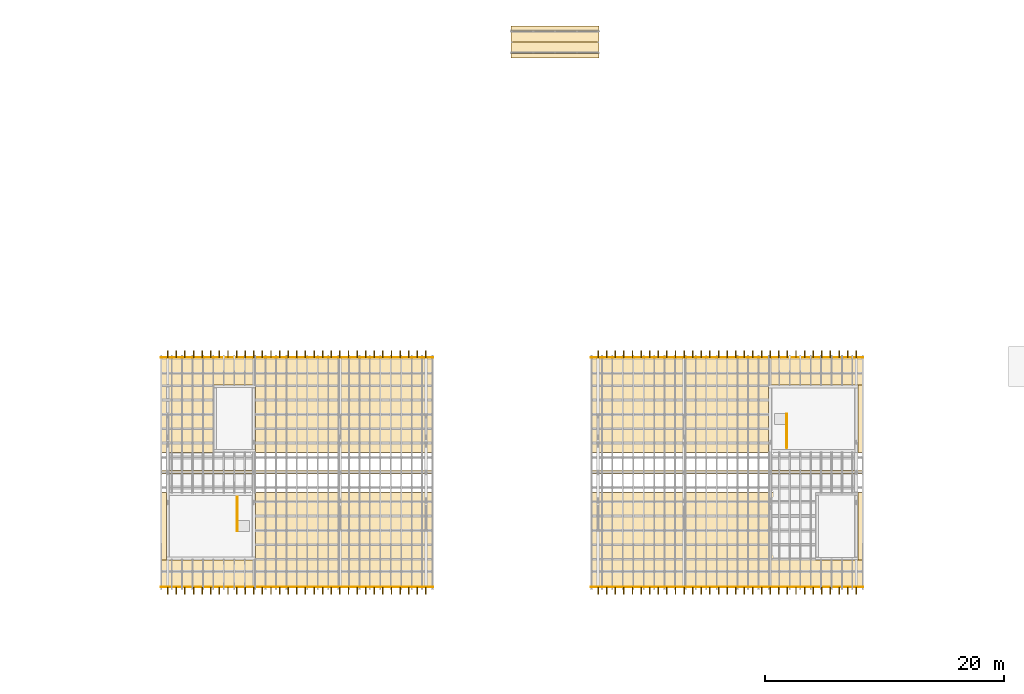
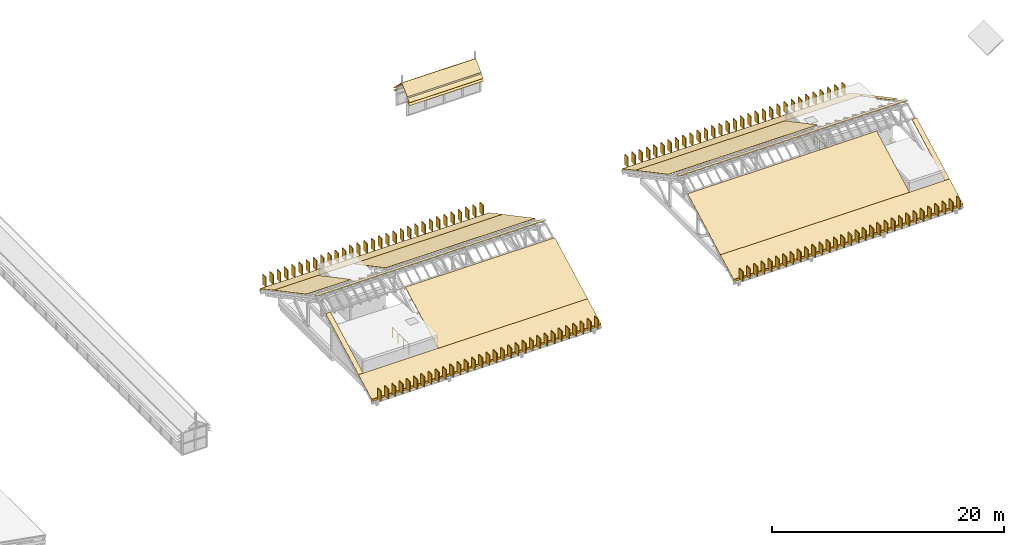
# One storey, part 24 of 28: 148 coverings, 2 railings.
"""IFC4 building model written with IfcOpenShell, lengths in metres."""

from ifc_helpers import new_model, si_unit, direction, frame, origin, origin_2d, place, context, subcontext, project, spatial, polyline, rectangle, circle, outline, extrude, material, layer, layer_set, type_object, element, save


model = new_model("IFC4")

# Units and contexts
model_context = context("Model", 3, precision=1e-05, world=origin(), true_north=direction((0.0, 1.0)))
body_context = subcontext(model_context, "Body", "Model", "MODEL_VIEW")
ifc_project = project(units=[si_unit("LENGTHUNIT", "METRE"), si_unit("AREAUNIT", "SQUARE_METRE"), si_unit("VOLUMEUNIT", "CUBIC_METRE"), si_unit("PLANEANGLEUNIT", "RADIAN"), si_unit("MASSUNIT", "GRAM", prefix="KILO")], contexts=[model_context])

# Site, building, storey
site_placement = place(None, origin())
site = spatial("IfcSite", under=ifc_project, at=site_placement, CompositionType="ELEMENT")
building_placement = place(site_placement, origin())
building = spatial("IfcBuilding", under=site, at=building_placement, Name="Mazhai Court Health Centre", CompositionType="ELEMENT")
storey_placement = place(building_placement, frame((0.0, 0.0, 18.0)))
storey = spatial("IfcBuildingStorey", under=building, at=storey_placement, Name="RF", CompositionType="ELEMENT", Elevation=18.0)

# Coverings
ifc_material_1 = material(Name="Teak timber", Category="wood")
covering_type_1 = type_object("IfcCoveringType", Name="FIN TIMBER 80x600", PredefinedType="CLADDING", material=ifc_material_1)
for number, where, z_axis, x_axis, name in (
    (1, (71.0, 10.699951171875, 0.27197265625), (0.0, 0.0, 1.0), (1.0, 0.0, 0.0), "FN-V4-CROWN-WRS1-00"),
    (2, (71.719970703125, 10.699951171875, 0.27197265625), (0.0, 0.0, 1.0), (1.0, 0.0, 0.0), "FN-V4-CROWN-WRS1-01"),
    (3, (72.43994140625, 10.699951171875, 0.27197265625), (0.0, 0.0, 1.0), (1.0, 0.0, 0.0), "FN-V4-CROWN-WRS1-02"),
    (4, (73.159912109375, 10.699951171875, 0.27197265625), (0.0, 0.0, 1.0), (1.0, 0.0, 0.0), "FN-V4-CROWN-WRS1-03"),
    (5, (73.8798828125, 10.699951171875, 0.27197265625), (0.0, 0.0, 1.0), (1.0, 0.0, 0.0), "FN-V4-CROWN-WRS1-04"),
    (6, (74.60009765625, 10.699951171875, 0.27197265625), (0.0, 0.0, 1.0), (1.0, 0.0, 0.0), "FN-V4-CROWN-WRS1-05"),
    (7, (75.320068359375, 10.699951171875, 0.27197265625), (0.0, 0.0, 1.0), (1.0, 0.0, 0.0), "FN-V4-CROWN-WRS1-06"),
    (8, (76.0400390625, 10.699951171875, 0.27197265625), (0.0, 0.0, 1.0), (1.0, 0.0, 0.0), "FN-V4-CROWN-WRS1-07"),
    (9, (76.760009765625, 10.699951171875, 0.27197265625), (0.0, 0.0, 1.0), (1.0, 0.0, 0.0), "FN-V4-CROWN-WRS1-08"),
    (10, (77.47998046875, 10.699951171875, 0.27197265625), (0.0, 0.0, 1.0), (1.0, 0.0, 0.0), "FN-V4-CROWN-WRS1-09"),
    (11, (78.199951171875, 10.699951171875, 0.27197265625), (0.0, 0.0, 1.0), (1.0, 0.0, 0.0), "FN-V4-CROWN-WRS1-10"),
    (12, (78.919921875, 10.699951171875, 0.27197265625), (0.0, 0.0, 1.0), (1.0, 0.0, 0.0), "FN-V4-CROWN-WRS1-11"),
    (13, (79.639892578125, 10.699951171875, 0.27197265625), (0.0, 0.0, 1.0), (1.0, 0.0, 0.0), "FN-V4-CROWN-WRS1-12"),
    (14, (80.360107421875, 10.699951171875, 0.27197265625), (0.0, 0.0, 1.0), (1.0, 0.0, 0.0), "FN-V4-CROWN-WRS1-13"),
    (15, (81.080078125, 10.699951171875, 0.27197265625), (0.0, 0.0, 1.0), (1.0, 0.0, 0.0), "FN-V4-CROWN-WRS1-14"),
    (16, (81.800048828125, 10.699951171875, 0.27197265625), (0.0, 0.0, 1.0), (1.0, 0.0, 0.0), "FN-V4-CROWN-WRS1-15"),
    (17, (82.52001953125, 10.699951171875, 0.27197265625), (0.0, 0.0, 1.0), (1.0, 0.0, 0.0), "FN-V4-CROWN-WRS1-16"),
    (18, (83.239990234375, 10.699951171875, 0.27197265625), (0.0, 0.0, 1.0), (1.0, 0.0, 0.0), "FN-V4-CROWN-WRS1-17"),
    (19, (83.9599609375, 10.699951171875, 0.27197265625), (0.0, 0.0, 1.0), (1.0, 0.0, 0.0), "FN-V4-CROWN-WRS1-18"),
    (20, (84.679931640625, 10.699951171875, 0.27197265625), (0.0, 0.0, 1.0), (1.0, 0.0, 0.0), "FN-V4-CROWN-WRS1-19"),
    (21, (85.39990234375, 10.699951171875, 0.27197265625), (0.0, 0.0, 1.0), (1.0, 0.0, 0.0), "FN-V4-CROWN-WRS1-20"),
    (22, (86.1201171875, 10.699951171875, 0.27197265625), (0.0, 0.0, 1.0), (1.0, 0.0, 0.0), "FN-V4-CROWN-WRS1-21"),
    (23, (86.840087890625, 10.699951171875, 0.27197265625), (0.0, 0.0, 1.0), (1.0, 0.0, 0.0), "FN-V4-CROWN-WRS1-22"),
    (24, (87.56005859375, 10.699951171875, 0.27197265625), (0.0, 0.0, 1.0), (1.0, 0.0, 0.0), "FN-V4-CROWN-WRS1-23"),
    (25, (88.280029296875, 10.699951171875, 0.27197265625), (0.0, 0.0, 1.0), (1.0, 0.0, 0.0), "FN-V4-CROWN-WRS1-24"),
    (26, (89.0, 10.699951171875, 0.27197265625), (0.0, 0.0, 1.0), (1.0, 0.0, 0.0), "FN-V4-CROWN-WRS1-25"),
    (27, (89.719970703125, 10.699951171875, 0.27197265625), (0.0, 0.0, 1.0), (1.0, 0.0, 0.0), "FN-V4-CROWN-WRS1-26"),
    (28, (90.43994140625, 10.699951171875, 0.27197265625), (0.0, 0.0, 1.0), (1.0, 0.0, 0.0), "FN-V4-CROWN-WRS1-27"),
    (29, (91.159912109375, 10.699951171875, 0.27197265625), (0.0, 0.0, 1.0), (1.0, 0.0, 0.0), "FN-V4-CROWN-WRS1-28"),
    (30, (91.8798828125, 10.699951171875, 0.27197265625), (0.0, 0.0, 1.0), (1.0, 0.0, 0.0), "FN-V4-CROWN-WRS1-29"),
    (31, (92.60009765625, 10.699951171875, 0.27197265625), (0.0, 0.0, 1.0), (1.0, 0.0, 0.0), "FN-V4-CROWN-WRS1-30"),
    (32, (71.0, 30.5, 0.27197265625), (0.0, 0.0, 1.0), (1.0, 0.0, 0.0), "FN-V4-CROWN-WRS2-c1-00"),
    (33, (71.719970703125, 30.5, 0.27197265625), (0.0, 0.0, 1.0), (1.0, 0.0, 0.0), "FN-V4-CROWN-WRS2-c1-01"),
    (34, (72.43994140625, 30.5, 0.27197265625), (0.0, 0.0, 1.0), (1.0, 0.0, 0.0), "FN-V4-CROWN-WRS2-c1-02"),
    (35, (73.159912109375, 30.5, 0.27197265625), (0.0, 0.0, 1.0), (1.0, 0.0, 0.0), "FN-V4-CROWN-WRS2-c1-03"),
    (36, (73.8798828125, 30.5, 0.27197265625), (0.0, 0.0, 1.0), (1.0, 0.0, 0.0), "FN-V4-CROWN-WRS2-c1-04"),
    (37, (74.60009765625, 30.5, 0.27197265625), (0.0, 0.0, 1.0), (1.0, 0.0, 0.0), "FN-V4-CROWN-WRS2-c1-05"),
    (38, (75.320068359375, 30.5, 0.27197265625), (0.0, 0.0, 1.0), (1.0, 0.0, 0.0), "FN-V4-CROWN-WRS2-c1-06"),
    (39, (76.0400390625, 30.5, 0.27197265625), (0.0, 0.0, 1.0), (1.0, 0.0, 0.0), "FN-V4-CROWN-WRS2-c1-07"),
    (40, (76.760009765625, 30.5, 0.27197265625), (0.0, 0.0, 1.0), (1.0, 0.0, 0.0), "FN-V4-CROWN-WRS2-c1-08"),
    (41, (77.47998046875, 30.5, 0.27197265625), (0.0, 0.0, 1.0), (1.0, 0.0, 0.0), "FN-V4-CROWN-WRS2-c1-09"),
    (42, (78.199951171875, 30.5, 0.27197265625), (0.0, 0.0, 1.0), (1.0, 0.0, 0.0), "FN-V4-CROWN-WRS2-c1-10"),
    (43, (78.919921875, 30.5, 0.27197265625), (0.0, 0.0, 1.0), (1.0, 0.0, 0.0), "FN-V4-CROWN-WRS2-c1-11"),
    (44, (79.639892578125, 30.5, 0.27197265625), (0.0, 0.0, 1.0), (1.0, 0.0, 0.0), "FN-V4-CROWN-WRS2-c1-12"),
    (45, (80.360107421875, 30.5, 0.27197265625), (0.0, 0.0, 1.0), (1.0, 0.0, 0.0), "FN-V4-CROWN-WRS2-c1-13"),
    (46, (81.080078125, 30.5, 0.27197265625), (0.0, 0.0, 1.0), (1.0, 0.0, 0.0), "FN-V4-CROWN-WRS2-c1-14"),
    (47, (81.800048828125, 30.5, 0.27197265625), (0.0, 0.0, 1.0), (1.0, 0.0, 0.0), "FN-V4-CROWN-WRS2-c1-15"),
    (48, (82.52001953125, 30.5, 0.27197265625), (0.0, 0.0, 1.0), (1.0, 0.0, 0.0), "FN-V4-CROWN-WRS2-c1-16"),
    (49, (83.239990234375, 30.5, 0.27197265625), (0.0, 0.0, 1.0), (1.0, 0.0, 0.0), "FN-V4-CROWN-WRS2-c1-17"),
    (50, (83.9599609375, 30.5, 0.27197265625), (0.0, 0.0, 1.0), (1.0, 0.0, 0.0), "FN-V4-CROWN-WRS2-c1-18"),
    (51, (84.679931640625, 30.5, 0.27197265625), (0.0, 0.0, 1.0), (1.0, 0.0, 0.0), "FN-V4-CROWN-WRS2-c1-19"),
    (52, (85.39990234375, 30.5, 0.27197265625), (0.0, 0.0, 1.0), (1.0, 0.0, 0.0), "FN-V4-CROWN-WRS2-c1-20"),
    (53, (86.1201171875, 30.5, 0.27197265625), (0.0, 0.0, 1.0), (1.0, 0.0, 0.0), "FN-V4-CROWN-WRS2-c1-21"),
    (54, (86.840087890625, 30.5, 0.27197265625), (0.0, 0.0, 1.0), (1.0, 0.0, 0.0), "FN-V4-CROWN-WRS2-c1-22"),
    (55, (87.56005859375, 30.5, 0.27197265625), (0.0, 0.0, 1.0), (1.0, 0.0, 0.0), "FN-V4-CROWN-WRS2-c1-23"),
    (56, (88.280029296875, 30.5, 0.27197265625), (0.0, 0.0, 1.0), (1.0, 0.0, 0.0), "FN-V4-CROWN-WRS2-c1-24"),
    (57, (89.0, 30.5, 0.27197265625), (0.0, 0.0, 1.0), (1.0, 0.0, 0.0), "FN-V4-CROWN-WRS2-c1-25"),
    (58, (89.719970703125, 30.5, 0.27197265625), (0.0, 0.0, 1.0), (1.0, 0.0, 0.0), "FN-V4-CROWN-WRS2-c1-26"),
    (59, (90.43994140625, 30.5, 0.27197265625), (0.0, 0.0, 1.0), (1.0, 0.0, 0.0), "FN-V4-CROWN-WRS2-c1-27"),
    (60, (91.159912109375, 30.5, 0.27197265625), (0.0, 0.0, 1.0), (1.0, 0.0, 0.0), "FN-V4-CROWN-WRS2-c1-28"),
    (61, (91.8798828125, 30.5, 0.27197265625), (0.0, 0.0, 1.0), (1.0, 0.0, 0.0), "FN-V4-CROWN-WRS2-c1-29"),
    (62, (92.60009765625, 30.5, 0.27197265625), (0.0, 0.0, 1.0), (1.0, 0.0, 0.0), "FN-V4-CROWN-WRS2-c1-30"),
    (63, (107.0, 30.5, 0.27197265625), (0.0, 0.0, 1.0), (1.0, 0.0, 0.0), "FN-V4-CROWN-ERS2-c1-00"),
    (64, (107.719970703125, 30.5, 0.27197265625), (0.0, 0.0, 1.0), (1.0, 0.0, 0.0), "FN-V4-CROWN-ERS2-c1-01"),
    (65, (108.43994140625, 30.5, 0.27197265625), (0.0, 0.0, 1.0), (1.0, 0.0, 0.0), "FN-V4-CROWN-ERS2-c1-02"),
    (66, (109.159912109375, 30.5, 0.27197265625), (0.0, 0.0, 1.0), (1.0, 0.0, 0.0), "FN-V4-CROWN-ERS2-c1-03"),
    (67, (109.8798828125, 30.5, 0.27197265625), (0.0, 0.0, 1.0), (1.0, 0.0, 0.0), "FN-V4-CROWN-ERS2-c1-04"),
    (68, (110.60009765625, 30.5, 0.27197265625), (0.0, 0.0, 1.0), (1.0, 0.0, 0.0), "FN-V4-CROWN-ERS2-c1-05"),
    (69, (111.320068359375, 30.5, 0.27197265625), (0.0, 0.0, 1.0), (1.0, 0.0, 0.0), "FN-V4-CROWN-ERS2-c1-06"),
    (70, (112.0400390625, 30.5, 0.27197265625), (0.0, 0.0, 1.0), (1.0, 0.0, 0.0), "FN-V4-CROWN-ERS2-c1-07"),
    (71, (112.760009765625, 30.5, 0.27197265625), (0.0, 0.0, 1.0), (1.0, 0.0, 0.0), "FN-V4-CROWN-ERS2-c1-08"),
    (72, (113.47998046875, 30.5, 0.27197265625), (0.0, 0.0, 1.0), (1.0, 0.0, 0.0), "FN-V4-CROWN-ERS2-c1-09"),
    (73, (114.199951171875, 30.5, 0.27197265625), (0.0, 0.0, 1.0), (1.0, 0.0, 0.0), "FN-V4-CROWN-ERS2-c1-10"),
    (74, (114.919921875, 30.5, 0.27197265625), (0.0, 0.0, 1.0), (1.0, 0.0, 0.0), "FN-V4-CROWN-ERS2-c1-11"),
    (75, (115.639892578125, 30.5, 0.27197265625), (0.0, 0.0, 1.0), (1.0, 0.0, 0.0), "FN-V4-CROWN-ERS2-c1-12"),
    (76, (116.360107421875, 30.5, 0.27197265625), (0.0, 0.0, 1.0), (1.0, 0.0, 0.0), "FN-V4-CROWN-ERS2-c1-13"),
    (77, (117.080078125, 30.5, 0.27197265625), (0.0, 0.0, 1.0), (1.0, 0.0, 0.0), "FN-V4-CROWN-ERS2-c1-14"),
    (78, (117.800048828125, 30.5, 0.27197265625), (0.0, 0.0, 1.0), (1.0, 0.0, 0.0), "FN-V4-CROWN-ERS2-c1-15"),
    (79, (118.52001953125, 30.5, 0.27197265625), (0.0, 0.0, 1.0), (1.0, 0.0, 0.0), "FN-V4-CROWN-ERS2-c1-16"),
    (80, (119.239990234375, 30.5, 0.27197265625), (0.0, 0.0, 1.0), (1.0, 0.0, 0.0), "FN-V4-CROWN-ERS2-c1-17"),
    (81, (119.9599609375, 30.5, 0.27197265625), (0.0, 0.0, 1.0), (1.0, 0.0, 0.0), "FN-V4-CROWN-ERS2-c1-18"),
    (82, (120.679931640625, 30.5, 0.27197265625), (0.0, 0.0, 1.0), (1.0, 0.0, 0.0), "FN-V4-CROWN-ERS2-c1-19"),
    (83, (121.39990234375, 30.5, 0.27197265625), (0.0, 0.0, 1.0), (1.0, 0.0, 0.0), "FN-V4-CROWN-ERS2-c1-20"),
    (84, (122.1201171875, 30.5, 0.27197265625), (0.0, 0.0, 1.0), (1.0, 0.0, 0.0), "FN-V4-CROWN-ERS2-c1-21"),
    (85, (122.840087890625, 30.5, 0.27197265625), (0.0, 0.0, 1.0), (1.0, 0.0, 0.0), "FN-V4-CROWN-ERS2-c1-22"),
    (86, (123.56005859375, 30.5, 0.27197265625), (0.0, 0.0, 1.0), (1.0, 0.0, 0.0), "FN-V4-CROWN-ERS2-c1-23"),
    (87, (124.280029296875, 30.5, 0.27197265625), (0.0, 0.0, 1.0), (1.0, 0.0, 0.0), "FN-V4-CROWN-ERS2-c1-24"),
    (88, (125.0, 30.5, 0.27197265625), (0.0, 0.0, 1.0), (1.0, 0.0, 0.0), "FN-V4-CROWN-ERS2-c1-25"),
    (89, (125.719970703125, 30.5, 0.27197265625), (0.0, 0.0, 1.0), (1.0, 0.0, 0.0), "FN-V4-CROWN-ERS2-c1-26"),
    (90, (126.43994140625, 30.5, 0.27197265625), (0.0, 0.0, 1.0), (1.0, 0.0, 0.0), "FN-V4-CROWN-ERS2-c1-27"),
    (91, (127.159912109375, 30.5, 0.27197265625), (0.0, 0.0, 1.0), (1.0, 0.0, 0.0), "FN-V4-CROWN-ERS2-c1-28"),
    (92, (127.8798828125, 30.5, 0.27197265625), (0.0, 0.0, 1.0), (1.0, 0.0, 0.0), "FN-V4-CROWN-ERS2-c1-29"),
    (93, (128.60009765625, 30.5, 0.27197265625), (0.0, 0.0, 1.0), (1.0, 0.0, 0.0), "FN-V4-CROWN-ERS2-c1-30"),
    (94, (107.0, 10.699951171875, 0.27197265625), (0.0, 0.0, 1.0), (1.0, 0.0, 0.0), "FN-V4-CROWN-ERS1-00"),
    (95, (107.719970703125, 10.699951171875, 0.27197265625), (0.0, 0.0, 1.0), (1.0, 0.0, 0.0), "FN-V4-CROWN-ERS1-01"),
    (96, (108.43994140625, 10.699951171875, 0.27197265625), (0.0, 0.0, 1.0), (1.0, 0.0, 0.0), "FN-V4-CROWN-ERS1-02"),
    (97, (109.159912109375, 10.699951171875, 0.27197265625), (0.0, 0.0, 1.0), (1.0, 0.0, 0.0), "FN-V4-CROWN-ERS1-03"),
    (98, (109.8798828125, 10.699951171875, 0.27197265625), (0.0, 0.0, 1.0), (1.0, 0.0, 0.0), "FN-V4-CROWN-ERS1-04"),
    (99, (110.60009765625, 10.699951171875, 0.27197265625), (0.0, 0.0, 1.0), (1.0, 0.0, 0.0), "FN-V4-CROWN-ERS1-05"),
    (100, (111.320068359375, 10.699951171875, 0.27197265625), (0.0, 0.0, 1.0), (1.0, 0.0, 0.0), "FN-V4-CROWN-ERS1-06"),
    (101, (112.0400390625, 10.699951171875, 0.27197265625), (0.0, 0.0, 1.0), (1.0, 0.0, 0.0), "FN-V4-CROWN-ERS1-07"),
    (102, (112.760009765625, 10.699951171875, 0.27197265625), (0.0, 0.0, 1.0), (1.0, 0.0, 0.0), "FN-V4-CROWN-ERS1-08"),
    (103, (113.47998046875, 10.699951171875, 0.27197265625), (0.0, 0.0, 1.0), (1.0, 0.0, 0.0), "FN-V4-CROWN-ERS1-09"),
    (104, (114.199951171875, 10.699951171875, 0.27197265625), (0.0, 0.0, 1.0), (1.0, 0.0, 0.0), "FN-V4-CROWN-ERS1-10"),
    (105, (114.919921875, 10.699951171875, 0.27197265625), (0.0, 0.0, 1.0), (1.0, 0.0, 0.0), "FN-V4-CROWN-ERS1-11"),
    (106, (115.639892578125, 10.699951171875, 0.27197265625), (0.0, 0.0, 1.0), (1.0, 0.0, 0.0), "FN-V4-CROWN-ERS1-12"),
    (107, (116.360107421875, 10.699951171875, 0.27197265625), (0.0, 0.0, 1.0), (1.0, 0.0, 0.0), "FN-V4-CROWN-ERS1-13"),
    (108, (117.080078125, 10.699951171875, 0.27197265625), (0.0, 0.0, 1.0), (1.0, 0.0, 0.0), "FN-V4-CROWN-ERS1-14"),
    (109, (117.800048828125, 10.699951171875, 0.27197265625), (0.0, 0.0, 1.0), (1.0, 0.0, 0.0), "FN-V4-CROWN-ERS1-15"),
    (110, (118.52001953125, 10.699951171875, 0.27197265625), (0.0, 0.0, 1.0), (1.0, 0.0, 0.0), "FN-V4-CROWN-ERS1-16"),
    (111, (119.239990234375, 10.699951171875, 0.27197265625), (0.0, 0.0, 1.0), (1.0, 0.0, 0.0), "FN-V4-CROWN-ERS1-17"),
    (112, (119.9599609375, 10.699951171875, 0.27197265625), (0.0, 0.0, 1.0), (1.0, 0.0, 0.0), "FN-V4-CROWN-ERS1-18"),
    (113, (120.679931640625, 10.699951171875, 0.27197265625), (0.0, 0.0, 1.0), (1.0, 0.0, 0.0), "FN-V4-CROWN-ERS1-19"),
    (114, (121.39990234375, 10.699951171875, 0.27197265625), (0.0, 0.0, 1.0), (1.0, 0.0, 0.0), "FN-V4-CROWN-ERS1-20"),
    (115, (122.1201171875, 10.699951171875, 0.27197265625), (0.0, 0.0, 1.0), (1.0, 0.0, 0.0), "FN-V4-CROWN-ERS1-21"),
    (116, (122.840087890625, 10.699951171875, 0.27197265625), (0.0, 0.0, 1.0), (1.0, 0.0, 0.0), "FN-V4-CROWN-ERS1-22"),
    (117, (123.56005859375, 10.699951171875, 0.27197265625), (0.0, 0.0, 1.0), (1.0, 0.0, 0.0), "FN-V4-CROWN-ERS1-23"),
    (118, (124.280029296875, 10.699951171875, 0.27197265625), (0.0, 0.0, 1.0), (1.0, 0.0, 0.0), "FN-V4-CROWN-ERS1-24"),
    (119, (125.0, 10.699951171875, 0.27197265625), (0.0, 0.0, 1.0), (1.0, 0.0, 0.0), "FN-V4-CROWN-ERS1-25"),
    (120, (125.719970703125, 10.699951171875, 0.27197265625), (0.0, 0.0, 1.0), (1.0, 0.0, 0.0), "FN-V4-CROWN-ERS1-26"),
    (121, (126.43994140625, 10.699951171875, 0.27197265625), (0.0, 0.0, 1.0), (1.0, 0.0, 0.0), "FN-V4-CROWN-ERS1-27"),
    (122, (127.159912109375, 10.699951171875, 0.27197265625), (0.0, 0.0, 1.0), (1.0, 0.0, 0.0), "FN-V4-CROWN-ERS1-28"),
    (123, (127.8798828125, 10.699951171875, 0.27197265625), (0.0, 0.0, 1.0), (1.0, 0.0, 0.0), "FN-V4-CROWN-ERS1-29"),
    (124, (128.60009765625, 10.699951171875, 0.27197265625), (0.0, 0.0, 1.0), (1.0, 0.0, 0.0), "FN-V4-CROWN-ERS1-30"),
):
    element("IfcCovering", number, at=place(storey_placement, frame(where, z_axis=z_axis, x_axis=x_axis)), inside=storey, type_object=covering_type_1, Name=name, PredefinedType="CLADDING", context=body_context, shape_type="SweptSolid", body=[
        extrude(rectangle(XDim=0.080078125, YDim=0.60009765625, at=origin_2d()), origin(), (0.0, 0.0, 1.0), 1.050048828125),
    ])
ifc_material_2 = material(Name="Teak timber", Category="wood")
ifc_layer_1 = layer(ifc_material_2, 0.030029296875)
ifc_layer_set_1 = layer_set([ifc_layer_1], Name="LOUVRE BLADE TEAK 30")
covering_type_2 = type_object("IfcCoveringType", Name="LOUVRE BLADE TEAK 30", PredefinedType="CLADDING", material=ifc_layer_set_1)
covering_1_placement = place(storey_placement, frame((99.72412109375, 55.655029296875, -5.345947265625), z_axis=(0.0, -0.498302158208, 0.867003436628), x_axis=(1.0, 0.0, 0.0)))
element("IfcCovering", 125, at=covering_1_placement, inside=storey, type_object=covering_type_2, Name="Lantern louvre V3A1", PredefinedType="CLADDING", context=body_context, shape_type="SweptSolid", body=[
    extrude(outline(polyline([(0.0, 0.0), (7.351806640625, 0.0), (7.351806640625, -0.4615281410316622), (0.0, -0.4615281410316622), (0.0, 0.0)])), origin(), (0.0, 0.0, -1.0), 0.030029296875),
])
covering_2_placement = place(storey_placement, frame((99.72412109375, 57.544921875, -5.345947265625), z_axis=(0.0, 0.498302158208, 0.867003436628), x_axis=(1.0, 0.0, 0.0)))
element("IfcCovering", 126, at=covering_2_placement, inside=storey, type_object=covering_type_2, Name="Lantern louvre V3B1", PredefinedType="CLADDING", context=body_context, shape_type="SweptSolid", body=[
    extrude(outline(polyline([(0.0, 0.0), (7.351806640625, 0.0), (7.351806640625, 0.4615281410316622), (0.0, 0.4615281410316622), (0.0, 0.0)])), origin(), (0.0, 0.0, -1.0), 0.030029296875),
])
covering_3_placement = place(storey_placement, frame((99.72412109375, 55.655029296875, -5.64599609375), z_axis=(0.0, -0.498302158208, 0.867003436628), x_axis=(1.0, 0.0, 0.0)))
element("IfcCovering", 127, at=covering_3_placement, inside=storey, type_object=covering_type_2, Name="Lantern louvre V3A2", PredefinedType="CLADDING", context=body_context, shape_type="SweptSolid", body=[
    extrude(outline(polyline([(0.0, 0.0), (7.351806640625, 0.0), (7.351806640625, -0.4615281410316622), (0.0, -0.4615281410316622), (0.0, 0.0)])), origin(), (0.0, 0.0, -1.0), 0.030029296875),
])
covering_4_placement = place(storey_placement, frame((99.72412109375, 57.544921875, -5.64599609375), z_axis=(0.0, 0.498302158208, 0.867003436628), x_axis=(1.0, 0.0, 0.0)))
element("IfcCovering", 128, at=covering_4_placement, inside=storey, type_object=covering_type_2, Name="Lantern louvre V3B2", PredefinedType="CLADDING", context=body_context, shape_type="SweptSolid", body=[
    extrude(outline(polyline([(0.0, 0.0), (7.351806640625, 0.0), (7.351806640625, 0.4615281410316622), (0.0, 0.4615281410316622), (0.0, 0.0)])), origin(), (0.0, 0.0, -1.0), 0.030029296875),
])
ifc_material_3 = material(Name="Zinc standing-seam sheet")
ifc_layer_2 = layer(ifc_material_3, 0.030029296875)
ifc_layer_set_2 = layer_set([ifc_layer_2], Name="ROOFING ZINC 30 LANTERN")
covering_type_3 = type_object("IfcCoveringType", Name="ROOFING ZINC 30 LANTERN", PredefinedType="ROOFING", material=ifc_layer_set_2)
covering_5_placement = place(storey_placement, frame((107.075927734375, 55.64990234375, -5.196044921875), z_axis=(0.0, -0.687729126437, 0.725967388145), x_axis=(0.0, 0.725967388145, 0.687729126437)))
element("IfcCovering", 129, at=covering_5_placement, inside=storey, type_object=covering_type_3, Name="Lantern roof V3A", PredefinedType="ROOFING", context=body_context, shape_type="SweptSolid", body=[
    extrude(outline(polyline([(0.0, 0.0), (1.3088677646078861, 0.0), (1.3088677646078861, 7.351806640625), (0.0, 7.351806640625), (0.0, 0.0)])), origin(), (0.0, 0.0, -1.0), 0.030029296875),
])
covering_6_placement = place(storey_placement, frame((99.72412109375, 57.550048828125, -5.196044921875), z_axis=(0.0, 0.687822261074, 0.725879147773), x_axis=(0.0, -0.725879147773, 0.687822261074)))
element("IfcCovering", 130, at=covering_6_placement, inside=storey, type_object=covering_type_3, Name="Lantern roof V3B", PredefinedType="ROOFING", context=body_context, shape_type="SweptSolid", body=[
    extrude(outline(polyline([(0.0, 0.0), (1.3086905372468154, 0.0), (1.3086905372468154, 7.351806640625), (0.0, 7.351806640625), (0.0, 0.0)])), origin(), (0.0, 0.0, -1.0), 0.030029296875),
])
ifc_material_4 = material(Name="Zinc standing seam")
ifc_layer_3 = layer(ifc_material_4, 0.10009765625)
ifc_layer_set_3 = layer_set([ifc_layer_3], Name="ROOFING ZINC STANDING SEAM 100")
covering_type_4 = type_object("IfcCoveringType", Name="ROOFING ZINC STANDING SEAM 100", PredefinedType="MOLDING", material=ifc_layer_set_3)
for number, where, z_axis, x_axis, name in (
    (131, (81.800048828125, 20.60009765625, 5.38671875), (0.0, 0.0, 1.0), (1.0, 0.0, 0.0), "Ridge cap RV4W-RG1"),
    (132, (117.800048828125, 20.60009765625, 5.38671875), (0.0, 0.0, 1.0), (1.0, 0.0, 0.0), "Ridge cap RV4E-RG1"),
):
    element("IfcCovering", number, at=place(storey_placement, frame(where, z_axis=z_axis, x_axis=x_axis)), inside=storey, type_object=covering_type_4, Name=name, PredefinedType="MOLDING", context=body_context, shape_type="SweptSolid", body=[
        extrude(rectangle(XDim=22.800048828125, YDim=0.300048828125, at=origin_2d()), origin(), (0.0, 0.0, 1.0), 0.10009765625),
    ])
ifc_material_5 = material(Name="Zinc standing seam")
ifc_layer_4 = layer(ifc_material_5, 0.02001953125)
ifc_layer_set_4 = layer_set([ifc_layer_4], Name="ROOFING ZINC STANDING SEAM 20")
covering_type_5 = type_object("IfcCoveringType", Name="ROOFING ZINC STANDING SEAM 20", PredefinedType="ROOFING", material=ifc_layer_set_4)
covering_7_placement = place(storey_placement, frame((93.199951171875, 11.0, 0.344482421875), z_axis=(0.0, -0.469436953661, 0.882965993987), x_axis=(-1.0, 0.0, 0.0)))
element("IfcCovering", 133, at=covering_7_placement, inside=storey, type_object=covering_type_5, Name="Roof covering RV4W-RC1", PredefinedType="ROOFING", context=body_context, shape_type="SweptSolid", body=[
    extrude(outline(polyline([(0.0, 0.0), (22.800048828125, 0.0), (22.800048828125, -2.5764325684588902), (0.0, -2.5764325684588902), (0.0, 0.0)])), origin(), (0.0, 0.0, -1.0), 0.02001953125),
])
covering_8_placement = place(storey_placement, frame((70.39990234375, 18.925048828125, 4.55810546875), z_axis=(0.0, -0.469461111674, 0.882953149734), x_axis=(1.0, 0.0, 0.0)))
element("IfcCovering", 134, at=covering_8_placement, inside=storey, type_object=covering_type_5, Name="Roof covering RV4W-RC1", PredefinedType="ROOFING", context=body_context, shape_type="SweptSolid", body=[
    extrude(outline(polyline([(0.0, 0.0), (0.47509765625, 0.0), (0.47509765625, -6.399146416858073), (0.0, -6.399146416858073), (0.0, 0.0)])), origin(), (0.0, 0.0, -1.0), 0.02001953125),
])
covering_9_placement = place(storey_placement, frame((93.199951171875, 13.27490234375, 1.553955078125), z_axis=(0.0, -0.469461111674, 0.882953149734), x_axis=(-1.0, 0.0, 0.0)))
element("IfcCovering", 135, at=covering_9_placement, inside=storey, type_object=covering_type_5, Name="Roof covering RV4W-RC1", PredefinedType="ROOFING", context=body_context, shape_type="SweptSolid", body=[
    extrude(outline(polyline([(0.0, 0.0), (14.875, 0.0), (14.875, -6.3991464168580725), (0.0, -6.3991464168580725), (0.0, 0.0)])), origin(), (0.0, 0.0, -1.0), 0.02001953125),
])
covering_10_placement = place(storey_placement, frame((70.39990234375, 30.199951171875, 0.344482421875), z_axis=(0.0, 0.469436953661, 0.882965993987), x_axis=(1.0, 0.0, 0.0)))
element("IfcCovering", 136, at=covering_10_placement, inside=storey, type_object=covering_type_5, Name="Roof covering RV4W-RC2", PredefinedType="ROOFING", context=body_context, shape_type="SweptSolid", body=[
    extrude(outline(polyline([(0.0, 0.0), (22.800048828125, 0.0), (22.800048828125, -2.5764325684588902), (0.0, -2.5764325684588902), (0.0, 0.0)])), origin(), (0.0, 0.0, -1.0), 0.02001953125),
])
covering_11_placement = place(storey_placement, frame((70.39990234375, 27.925048828125, 1.553955078125), z_axis=(0.0, 0.469461111674, 0.882953149734), x_axis=(1.0, 0.0, 0.0)))
element("IfcCovering", 137, at=covering_11_placement, inside=storey, type_object=covering_type_5, Name="Roof covering RV4W-RC2", PredefinedType="ROOFING", context=body_context, shape_type="SweptSolid", body=[
    extrude(outline(polyline([(0.0, 0.0), (4.4501953125, 0.0), (4.4501953125, -6.399146416858074), (0.0, -6.399146416858074), (0.0, 0.0)])), origin(), (0.0, 0.0, -1.0), 0.02001953125),
])
covering_12_placement = place(storey_placement, frame((93.199951171875, 22.27490234375, 4.55810546875), z_axis=(0.0, 0.469461111674, 0.882953149734), x_axis=(-1.0, 0.0, 0.0)))
element("IfcCovering", 138, at=covering_12_placement, inside=storey, type_object=covering_type_5, Name="Roof covering RV4W-RC2", PredefinedType="ROOFING", context=body_context, shape_type="SweptSolid", body=[
    extrude(outline(polyline([(0.0, 0.0), (14.875, 0.0), (14.875, -6.3991464168580725), (0.0, -6.3991464168580725), (0.0, 0.0)])), origin(), (0.0, 0.0, -1.0), 0.02001953125),
])
covering_13_placement = place(storey_placement, frame((106.39990234375, 30.199951171875, 0.344482421875), z_axis=(0.0, 0.469436953661, 0.882965993987), x_axis=(1.0, 0.0, 0.0)))
element("IfcCovering", 139, at=covering_13_placement, inside=storey, type_object=covering_type_5, Name="Roof covering RV4E-RC2", PredefinedType="ROOFING", context=body_context, shape_type="SweptSolid", body=[
    extrude(outline(polyline([(0.0, 0.0), (22.800048828125, 0.0), (22.800048828125, -2.5764325684588902), (0.0, -2.5764325684588902), (0.0, 0.0)])), origin(), (0.0, 0.0, -1.0), 0.02001953125),
])
covering_14_placement = place(storey_placement, frame((106.39990234375, 27.925048828125, 1.553955078125), z_axis=(0.0, 0.469461111674, 0.882953149734), x_axis=(1.0, 0.0, 0.0)))
element("IfcCovering", 140, at=covering_14_placement, inside=storey, type_object=covering_type_5, Name="Roof covering RV4E-RC2", PredefinedType="ROOFING", context=body_context, shape_type="SweptSolid", body=[
    extrude(outline(polyline([(0.0, 0.0), (14.875, 0.0), (14.875, -6.3991464168580725), (0.0, -6.3991464168580725), (0.0, 0.0)])), origin(), (0.0, 0.0, -1.0), 0.02001953125),
])
covering_15_placement = place(storey_placement, frame((129.199951171875, 22.27490234375, 4.55810546875), z_axis=(0.0, 0.469461111674, 0.882953149734), x_axis=(-1.0, 0.0, 0.0)))
element("IfcCovering", 141, at=covering_15_placement, inside=storey, type_object=covering_type_5, Name="Roof covering RV4E-RC2", PredefinedType="ROOFING", context=body_context, shape_type="SweptSolid", body=[
    extrude(outline(polyline([(0.0, 0.0), (0.474853515625, 0.0), (0.474853515625, -6.3991464168580725), (0.0, -6.3991464168580725), (0.0, 0.0)])), origin(), (0.0, 0.0, -1.0), 0.02001953125),
])
covering_16_placement = place(storey_placement, frame((129.199951171875, 11.0, 0.344482421875), z_axis=(0.0, -0.469436953661, 0.882965993987), x_axis=(-1.0, 0.0, 0.0)))
element("IfcCovering", 142, at=covering_16_placement, inside=storey, type_object=covering_type_5, Name="Roof covering RV4E-RC1", PredefinedType="ROOFING", context=body_context, shape_type="SweptSolid", body=[
    extrude(outline(polyline([(0.0, 0.0), (22.800048828125, 0.0), (22.800048828125, -2.5764325684588902), (0.0, -2.5764325684588902), (0.0, 0.0)])), origin(), (0.0, 0.0, -1.0), 0.02001953125),
])
covering_17_placement = place(storey_placement, frame((106.39990234375, 18.925048828125, 4.55810546875), z_axis=(0.0, -0.469461111674, 0.882953149734), x_axis=(1.0, 0.0, 0.0)))
element("IfcCovering", 143, at=covering_17_placement, inside=storey, type_object=covering_type_5, Name="Roof covering RV4E-RC1", PredefinedType="ROOFING", context=body_context, shape_type="SweptSolid", body=[
    extrude(outline(polyline([(0.0, 0.0), (18.81005859375, 0.0), (18.81005859375, -6.399146416858073), (0.0, -6.399146416858073), (0.0, 0.0)])), origin(), (0.0, 0.0, -1.0), 0.02001953125),
])
covering_18_placement = place(storey_placement, frame((129.199951171875, 13.27490234375, 1.553955078125), z_axis=(0.0, -0.469461111674, 0.882953149734), x_axis=(-1.0, 0.0, 0.0)))
element("IfcCovering", 144, at=covering_18_placement, inside=storey, type_object=covering_type_5, Name="Roof covering RV4E-RC1", PredefinedType="ROOFING", context=body_context, shape_type="SweptSolid", body=[
    extrude(outline(polyline([(0.0, 0.0), (0.474853515625, 0.0), (0.474853515625, -6.3991464168580725), (0.0, -6.3991464168580725), (0.0, 0.0)])), origin(), (0.0, 0.0, -1.0), 0.02001953125),
])
ifc_material_6 = material(Name="Larch fascia board", Category="wood")
ifc_layer_5 = layer(ifc_material_6, 0.02490234375)
ifc_layer_set_5 = layer_set([ifc_layer_5], Name="ROOFING ZINC STANDING SEAM 25")
covering_type_6 = type_object("IfcCoveringType", Name="ROOFING ZINC STANDING SEAM 25", PredefinedType="MOLDING", material=ifc_layer_set_5)
covering_19_placement = place(storey_placement, frame((0.0, 0.0, 0.094482421875)))
element("IfcCovering", 145, at=covering_19_placement, inside=storey, type_object=covering_type_6, Name="Fascia board RV4W-FB1", PredefinedType="MOLDING", context=body_context, shape_type="SweptSolid", body=[
    extrude(outline(polyline([(93.199951171875, 11.02001953125), (70.39990234375, 11.02001953125), (70.39990234375, 10.97509765625), (93.199951171875, 10.97509765625), (93.199951171875, 11.02001953125)])), origin(), (0.0, 0.0, 1.0), 0.25),
])
covering_20_placement = place(storey_placement, frame((0.0, 0.0, 0.094482421875)))
element("IfcCovering", 146, at=covering_20_placement, inside=storey, type_object=covering_type_6, Name="Fascia board RV4W-FB2", PredefinedType="MOLDING", context=body_context, shape_type="SweptSolid", body=[
    extrude(outline(polyline([(70.39990234375, 30.179931640625), (93.199951171875, 30.179931640625), (93.199951171875, 30.22509765625), (70.39990234375, 30.22509765625), (70.39990234375, 30.179931640625)])), origin(), (0.0, 0.0, 1.0), 0.25),
])
covering_21_placement = place(storey_placement, frame((0.0, 0.0, 0.094482421875)))
element("IfcCovering", 147, at=covering_21_placement, inside=storey, type_object=covering_type_6, Name="Fascia board RV4E-FB1", PredefinedType="MOLDING", context=body_context, shape_type="SweptSolid", body=[
    extrude(outline(polyline([(129.199951171875, 11.02001953125), (106.39990234375, 11.02001953125), (106.39990234375, 10.97509765625), (129.199951171875, 10.97509765625), (129.199951171875, 11.02001953125)])), origin(), (0.0, 0.0, 1.0), 0.25),
])
covering_22_placement = place(storey_placement, frame((0.0, 0.0, 0.094482421875)))
element("IfcCovering", 148, at=covering_22_placement, inside=storey, type_object=covering_type_6, Name="Fascia board RV4E-FB2", PredefinedType="MOLDING", context=body_context, shape_type="SweptSolid", body=[
    extrude(outline(polyline([(106.39990234375, 30.179931640625), (129.199951171875, 30.179931640625), (129.199951171875, 30.22509765625), (106.39990234375, 30.22509765625), (106.39990234375, 30.179931640625)])), origin(), (0.0, 0.0, 1.0), 0.25),
])

# Railings
ifc_material_7 = material(Name="Steel IS 2062 E250", Category="steel")
railing_type = type_object("IfcRailingType", Name="STAIR GUARD 1100", PredefinedType="GUARDRAIL", material=ifc_material_7)
railing_1_placement = place(storey_placement, frame((76.81494140625, 18.544921875, 0.0)))
element("IfcRailing", 149, at=railing_1_placement, inside=storey, type_object=railing_type, Name="RF ST6 top well guard 1", PredefinedType="GUARDRAIL", context=body_context, shape_type="SweptSolid", body=[
    extrude(circle(Radius=0.02392578125, at=origin_2d()), frame((0.0, 0.0, 1.076171875), z_axis=(0.0, -1.0, 0.0), x_axis=(1.0, 0.0, 0.0)), (0.0, 0.0, 1.0), 2.849853515625),
    extrude(circle(Radius=0.02099609375, at=origin_2d()), origin(), (0.0, 0.0, 1.0), 1.052001953125),
    extrude(circle(Radius=0.02099609375, at=origin_2d()), frame((0.0, -0.949951171875, 0.0)), (0.0, 0.0, 1.0), 1.052001953125),
    extrude(circle(Radius=0.02099609375, at=origin_2d()), frame((0.0, -1.89990234375, 0.0)), (0.0, 0.0, 1.0), 1.052001953125),
    extrude(circle(Radius=0.02099609375, at=origin_2d()), frame((0.0, -2.849853515625, 0.0)), (0.0, 0.0, 1.0), 1.052001953125),
])
railing_2_placement = place(storey_placement, frame((122.784912109375, 22.655029296875, 0.0)))
element("IfcRailing", 150, at=railing_2_placement, inside=storey, type_object=railing_type, Name="RF ST7 top well guard 1", PredefinedType="GUARDRAIL", context=body_context, shape_type="SweptSolid", body=[
    extrude(circle(Radius=0.02392578125, at=origin_2d()), frame((0.0, 0.0, 1.076171875), z_axis=(0.0, 1.0, 0.0), x_axis=(-1.0, 0.0, 0.0)), (0.0, 0.0, 1.0), 2.849853515625),
    extrude(circle(Radius=0.02099609375, at=origin_2d()), origin(), (0.0, 0.0, 1.0), 1.052001953125),
    extrude(circle(Radius=0.02099609375, at=origin_2d()), frame((0.0, 0.949951171875, 0.0)), (0.0, 0.0, 1.0), 1.052001953125),
    extrude(circle(Radius=0.02099609375, at=origin_2d()), frame((0.0, 1.89990234375, 0.0)), (0.0, 0.0, 1.0), 1.052001953125),
    extrude(circle(Radius=0.02099609375, at=origin_2d()), frame((0.0, 2.849853515625, 0.0)), (0.0, 0.0, 1.0), 1.052001953125),
])

save(model, "model.ifc")
